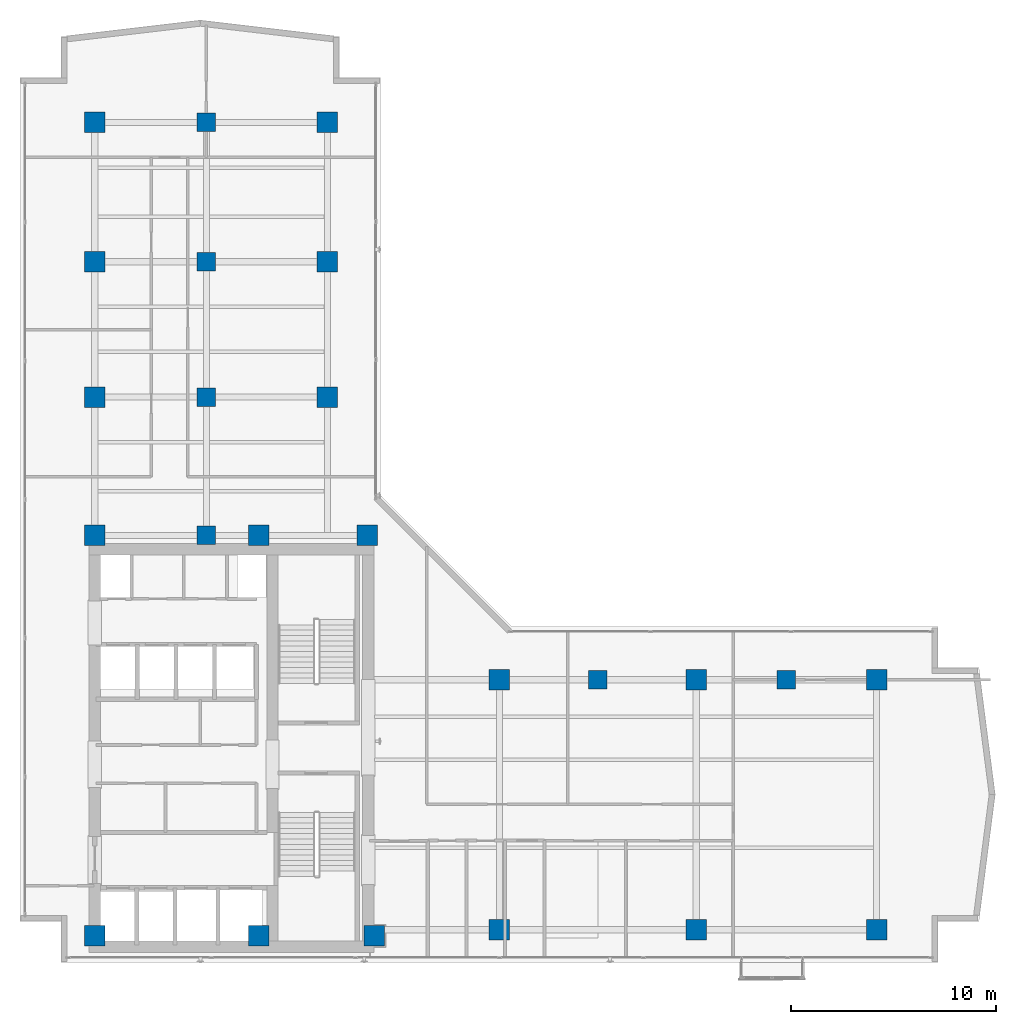
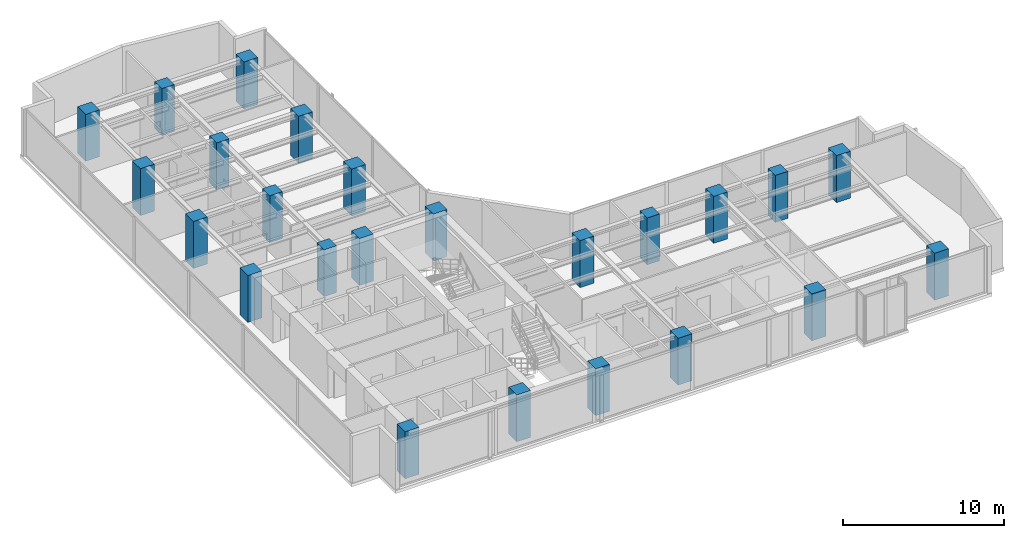
# One storey, part 1 of 23: 24 columns.
"""IFC4 building model written with IfcOpenShell, lengths in metres."""

import ifcopenshell
import ifcopenshell.guid

model = None  # the IFC model being written
_history = None  # IfcOwnerHistory: only IFC2X3 demands one
_inside = {}  # id of a spatial element -> (the spatial element, [elements in it])
_under = {}  # id of a project, library or spatial element -> (it, [spatial elements below it])
_declared = {}  # id of a project -> (the project, [libraries it declares])
_typed = {}  # id of a type object -> (the type object, [elements of that type])
_made_of = {}  # id of a material, layer set ... -> (it, [elements and type objects made of it])


def new_model(schema):
    """Start an empty IFC model of exactly this schema.

    Asked for "IFC4X3", IfcOpenShell would pick the latest addendum, in which some entities
    have other attributes; the version numbers below select the first issue.
    IFC2X3 requires an IfcOwnerHistory on every rooted entity: one is made here for all.
    """
    global model, _history
    if schema == "IFC4X3":
        model = ifcopenshell.file(schema_version=(4, 3, 0, 0))
    else:
        model = ifcopenshell.file(schema=schema)
    _inside.clear()
    _under.clear()
    _declared.clear()
    _typed.clear()
    _made_of.clear()
    _history = None
    if model.schema == "IFC2X3":
        org = make("IfcOrganization", Name="unknown")
        user = make(
            "IfcPersonAndOrganization",
            ThePerson=make("IfcPerson", FamilyName="unknown"),
            TheOrganization=org,
        )
        app = make(
            "IfcApplication",
            ApplicationDeveloper=org,
            Version="unknown",
            ApplicationFullName="unknown",
            ApplicationIdentifier="unknown",
        )
        _history = make(
            "IfcOwnerHistory",
            OwningUser=user,
            OwningApplication=app,
            ChangeAction="ADDED",
            CreationDate=0,
        )
    return model


def make(cls, **values):
    """One entity of the class cls with the attributes given. An attribute that is None is left unset."""
    return model.create_entity(
        cls, **{name: value for name, value in values.items() if value is not None}
    )


def rooted(cls, **values):
    """An entity with a GlobalId (a new one), such as an element, a storey or a relation."""
    return make(cls, GlobalId=ifcopenshell.guid.new(), OwnerHistory=_history, **values)


def si_unit(unit_type, name, prefix=None):
    """IfcSIUnit, for example si_unit("LENGTHUNIT", "METRE", prefix="MILLI")."""
    return make("IfcSIUnit", UnitType=unit_type, Prefix=prefix, Name=name)


def assignment(units):
    """IfcUnitAssignment: the units of a project."""
    return None if units is None else make("IfcUnitAssignment", Units=units)


def point(xyz):
    """IfcCartesianPoint."""
    return None if xyz is None else make("IfcCartesianPoint", Coordinates=xyz)


def direction(xyz):
    """IfcDirection."""
    return None if xyz is None else make("IfcDirection", DirectionRatios=xyz)


def frame(location, z_axis=None, x_axis=None):
    """IfcAxis2Placement3D, a coordinate frame: its origin and axes. An axis left out is left unset."""
    return make(
        "IfcAxis2Placement3D",
        Location=point(location),
        Axis=direction(z_axis),
        RefDirection=direction(x_axis),
    )


def frame_2d(location, x_axis=None):
    """IfcAxis2Placement2D, a coordinate frame in the plane: its origin and x axis."""
    return make(
        "IfcAxis2Placement2D", Location=point(location), RefDirection=direction(x_axis)
    )


def origin():
    """The frame at (0, 0, 0) with its axes left unset."""
    return frame((0.0, 0.0, 0.0))


def origin_2d():
    """The frame at (0, 0) in the plane with its x axis left unset."""
    return frame_2d((0.0, 0.0))


def place(relative_to, where):
    """IfcLocalPlacement: puts the frame where relative to a parent placement (None: the world)."""
    return make(
        "IfcLocalPlacement", PlacementRelTo=relative_to, RelativePlacement=where
    )


def context(
    kind, dimensions, precision=None, world=None, true_north=None, identifier=None
):
    """IfcGeometricRepresentationContext, for example the 3D "Model" context."""
    return make(
        "IfcGeometricRepresentationContext",
        ContextIdentifier=identifier,
        ContextType=kind,
        CoordinateSpaceDimension=dimensions,
        Precision=precision,
        WorldCoordinateSystem=world,
        TrueNorth=true_north,
    )


def subcontext(parent, identifier, kind, view, scale=None):
    """IfcGeometricRepresentationSubContext, for example "Body" below "Model"."""
    return make(
        "IfcGeometricRepresentationSubContext",
        ContextIdentifier=identifier,
        ContextType=kind,
        ParentContext=parent,
        TargetScale=scale,
        TargetView=view,
    )


def project(units=None, contexts=None):
    """IfcProject with its units and contexts."""
    return rooted(
        "IfcProject",
        Name="project",
        RepresentationContexts=contexts,
        UnitsInContext=assignment(units),
    )


def spatial(cls, under=None, at=None, **own):
    """A site, building, storey or space (cls), placed at a placement, below another one or the project."""
    s = rooted(cls, ObjectPlacement=at, **own)
    if under is not None:
        _under.setdefault(under.id(), (under, []))[1].append(s)
    return s


def profile(cls, at=None, kind="AREA", **sizes):
    """A parametric profile (cls). Its sizes go by their IFC names, for example OverallWidth=200.0."""
    return make(cls, ProfileType=kind, Position=at, **sizes)


def rectangle(**sizes):
    """IfcRectangleProfileDef."""
    return profile("IfcRectangleProfileDef", **sizes)


def extrude(swept, where, along, depth):
    """IfcExtrudedAreaSolid: the profile swept, set in the frame where, extruded along a direction by depth."""
    return make(
        "IfcExtrudedAreaSolid",
        SweptArea=swept,
        Position=where,
        ExtrudedDirection=direction(along),
        Depth=depth,
    )


def shape(context_of_items, identifier, shape_type, items):
    """IfcShapeRepresentation: the items that make up one representation, for example the "Body"."""
    return make(
        "IfcShapeRepresentation",
        ContextOfItems=context_of_items,
        RepresentationIdentifier=identifier,
        RepresentationType=shape_type,
        Items=items,
    )


def material(Name=None, Category=None):
    """IfcMaterial."""
    return make("IfcMaterial", Name=Name, Category=Category)


def material_profile(
    of_material, cross_section, Name=None, Category=None, Priority=None
):
    """IfcMaterialProfile: a cross section and its material."""
    return make(
        "IfcMaterialProfile",
        Name=Name,
        Material=of_material,
        Profile=cross_section,
        Priority=Priority,
        Category=Category,
    )


def profile_set(profiles, Name=None, composite=None):
    """IfcMaterialProfileSet."""
    return make(
        "IfcMaterialProfileSet",
        Name=Name,
        MaterialProfiles=profiles,
        CompositeProfile=composite,
    )


def made_of(thing, what):
    """Note that an element or type object is made of a material, layer set ...; save() writes the relation."""
    if what is not None:
        _made_of.setdefault(what.id(), (what, []))[1].append(thing)
    return thing


def type_object(cls, material=None, **own):
    """A type object (cls), such as IfcWallType, which elements share."""
    return made_of(rooted(cls, **own), material)


def element(
    cls,
    number,
    at=None,
    inside=None,
    cuts=None,
    type_object=None,
    material=None,
    context=None,
    identifier="Body",
    shape_type=None,
    held_by="IfcProductDefinitionShape",
    body=None,
    shapes=None,
    **own,
):
    """One element of the class cls, such as IfcWall. Its Tag is "e" and its number.

    at: its placement. inside: the storey or other place that contains it. cuts: it is an
    opening in that element (IfcRelVoidsElement). A single representation is given by context,
    identifier, shape_type and body (its items); several are given by shapes. held_by: the class
    of the entity that holds the representations. save() writes the other relations.
    """
    e = rooted(cls, Tag="e%d" % number, ObjectPlacement=at, **own)
    if body is not None:
        shapes = [shape(context, identifier, shape_type, body)]
    if shapes is not None:
        e.Representation = make(held_by, Representations=shapes)
    if inside is not None:
        _inside.setdefault(inside.id(), (inside, []))[1].append(e)
    if cuts is not None:
        rooted(
            "IfcRelVoidsElement", RelatingBuildingElement=cuts, RelatedOpeningElement=e
        )
    if type_object is not None:
        _typed.setdefault(type_object.id(), (type_object, []))[1].append(e)
    return made_of(e, material)


def aggregate(whole, parts):
    """IfcRelAggregates: a whole, such as a stair, and the parts it consists of."""
    return rooted("IfcRelAggregates", RelatingObject=whole, RelatedObjects=parts)


def save(model, path):
    """Write the relations noted so far, then the file.

    IfcRelAggregates (storeys below a building ...), IfcRelContainedInSpatialStructure (elements
    in a storey), IfcRelDefinesByType, IfcRelAssociatesMaterial and IfcRelDeclares: one each for
    every whole, place, type object, material and project.
    """
    for whole, parts in _under.values():
        aggregate(whole, parts)
    for where, things in _inside.values():
        rooted(
            "IfcRelContainedInSpatialStructure",
            RelatedElements=things,
            RelatingStructure=where,
        )
    for kind, things in _typed.values():
        rooted("IfcRelDefinesByType", RelatedObjects=things, RelatingType=kind)
    for what, things in _made_of.values():
        rooted("IfcRelAssociatesMaterial", RelatedObjects=things, RelatingMaterial=what)
    for by, libraries in _declared.values():
        rooted("IfcRelDeclares", RelatingContext=by, RelatedDefinitions=libraries)
    model.write(path)


model = new_model("IFC4")

# Units and contexts
model_context = context("Model", 3, precision=1e-05, world=origin(), true_north=direction((0.0, 1.0)))
body_context = subcontext(model_context, "Body", "Model", "MODEL_VIEW")
ifc_project = project(units=[si_unit("LENGTHUNIT", "METRE"), si_unit("AREAUNIT", "SQUARE_METRE"), si_unit("VOLUMEUNIT", "CUBIC_METRE"), si_unit("PLANEANGLEUNIT", "RADIAN"), si_unit("MASSUNIT", "GRAM", prefix="KILO")], contexts=[model_context])

# Site, building, storey
site_placement = place(None, origin())
site = spatial("IfcSite", under=ifc_project, at=site_placement, CompositionType="ELEMENT")
building_placement = place(site_placement, origin())
building = spatial("IfcBuilding", under=site, at=building_placement, Name="Kolvaren Waterfront Exchange", CompositionType="ELEMENT")
storey_placement = place(building_placement, frame((0.0, 0.0, 242.5)))
storey = spatial("IfcBuildingStorey", under=building, at=storey_placement, Name="L62", CompositionType="ELEMENT", Elevation=242.5)

# Columns
ifc_material = material(Name="Concrete C50/60", Category="concrete")
ifc_material_profile_1 = material_profile(ifc_material, rectangle(XDim=1.0, YDim=1.0, at=origin_2d()), Name="RC-COL-1000x1000")
ifc_profile_set_1 = profile_set([ifc_material_profile_1], Name="Concrete C50/60")
column_type_1 = type_object("IfcColumnType", Name="STR-COL-1000-C50", PredefinedType="COLUMN", material=ifc_profile_set_1)
for number, where, z_axis, x_axis, name in (
    (1, (7.449951171875, 4.89990234375, 0.0), (0.0, 0.0, 1.0), (1.0, 0.0, 0.0), "L62 column MC01"),
    (2, (15.449951171875, 4.89990234375, 0.0), (0.0, 0.0, 1.0), (1.0, 0.0, 0.0), "L62 column MC02"),
    (3, (21.10009765625, 4.89990234375, 0.0), (0.0, 0.0, 1.0), (1.0, 0.0, 0.0), "L62 column MC03"),
    (4, (7.449951171875, 24.449951171875, 0.0), (0.0, 0.0, 1.0), (1.0, 0.0, 0.0), "L62 column MC04"),
    (5, (15.449951171875, 24.449951171875, 0.0), (0.0, 0.0, 1.0), (1.0, 0.0, 0.0), "L62 column MC05"),
    (6, (20.75, 24.449951171875, 0.0), (0.0, 0.0, 1.0), (1.0, 0.0, 0.0), "L62 column MC06"),
    (7, (7.449951171875, 31.199951171875, 0.0), (0.0, 0.0, 1.0), (1.0, 0.0, 0.0), "L62 column NC01"),
    (8, (7.449951171875, 37.800048828125, 0.0), (0.0, 0.0, 1.0), (1.0, 0.0, 0.0), "L62 column NC02"),
    (9, (7.449951171875, 44.60009765625, 0.0), (0.0, 0.0, 1.0), (1.0, 0.0, 0.0), "L62 column NC03"),
    (10, (18.800048828125, 31.199951171875, 0.0), (0.0, 0.0, 1.0), (1.0, 0.0, 0.0), "L62 column NC04"),
    (11, (18.800048828125, 37.800048828125, 0.0), (0.0, 0.0, 1.0), (1.0, 0.0, 0.0), "L62 column NC05"),
    (12, (18.800048828125, 44.60009765625, 0.0), (0.0, 0.0, 1.0), (1.0, 0.0, 0.0), "L62 column NC06"),
    (13, (27.199951171875, 5.199951171875, 0.0), (0.0, 0.0, 1.0), (1.0, 0.0, 0.0), "L62 column EC01"),
    (14, (36.800048828125, 5.199951171875, 0.0), (0.0, 0.0, 1.0), (1.0, 0.0, 0.0), "L62 column EC02"),
    (15, (45.60009765625, 5.199951171875, 0.0), (0.0, 0.0, 1.0), (1.0, 0.0, 0.0), "L62 column EC03"),
    (16, (27.199951171875, 17.39990234375, 0.0), (0.0, 0.0, 1.0), (1.0, 0.0, 0.0), "L62 column EC04"),
    (17, (36.800048828125, 17.39990234375, 0.0), (0.0, 0.0, 1.0), (1.0, 0.0, 0.0), "L62 column EC05"),
    (18, (45.60009765625, 17.39990234375, 0.0), (0.0, 0.0, 1.0), (1.0, 0.0, 0.0), "L62 column EC06"),
):
    element("IfcColumn", number, at=place(storey_placement, frame(where, z_axis=z_axis, x_axis=x_axis)), inside=storey, type_object=column_type_1, Name=name, PredefinedType="COLUMN", context=body_context, shape_type="SweptSolid", body=[
        extrude(rectangle(XDim=1.0, YDim=1.0, at=origin_2d()), origin(), (0.0, 0.0, 1.0), 3.56005859375),
    ])
ifc_material_profile_2 = material_profile(ifc_material, rectangle(XDim=0.89990234375, YDim=0.89990234375, at=origin_2d()), Name="RC-COL-900x900")
ifc_profile_set_2 = profile_set([ifc_material_profile_2], Name="Concrete C50/60")
column_type_2 = type_object("IfcColumnType", Name="STR-COL-900-C50", PredefinedType="COLUMN", material=ifc_profile_set_2)
for number, where, z_axis, x_axis, name in (
    (19, (12.89990234375, 24.449951171875, 0.0), (0.0, 0.0, 1.0), (1.0, 0.0, 0.0), "L62 column TC01"),
    (20, (12.89990234375, 31.199951171875, 0.0), (0.0, 0.0, 1.0), (1.0, 0.0, 0.0), "L62 column TC02"),
    (21, (12.89990234375, 37.800048828125, 0.0), (0.0, 0.0, 1.0), (1.0, 0.0, 0.0), "L62 column TC03"),
    (22, (12.89990234375, 44.60009765625, 0.0), (0.0, 0.0, 1.0), (1.0, 0.0, 0.0), "L62 column TC04"),
    (23, (32.0, 17.39990234375, 0.0), (0.0, 0.0, 1.0), (1.0, 0.0, 0.0), "L62 column TC05"),
    (24, (41.199951171875, 17.39990234375, 0.0), (0.0, 0.0, 1.0), (1.0, 0.0, 0.0), "L62 column TC06"),
):
    element("IfcColumn", number, at=place(storey_placement, frame(where, z_axis=z_axis, x_axis=x_axis)), inside=storey, type_object=column_type_2, Name=name, PredefinedType="COLUMN", context=body_context, shape_type="SweptSolid", body=[
        extrude(rectangle(XDim=0.89990234375, YDim=0.89990234375, at=origin_2d()), origin(), (0.0, 0.0, 1.0), 3.56005859375),
    ])

save(model, "model.ifc")
